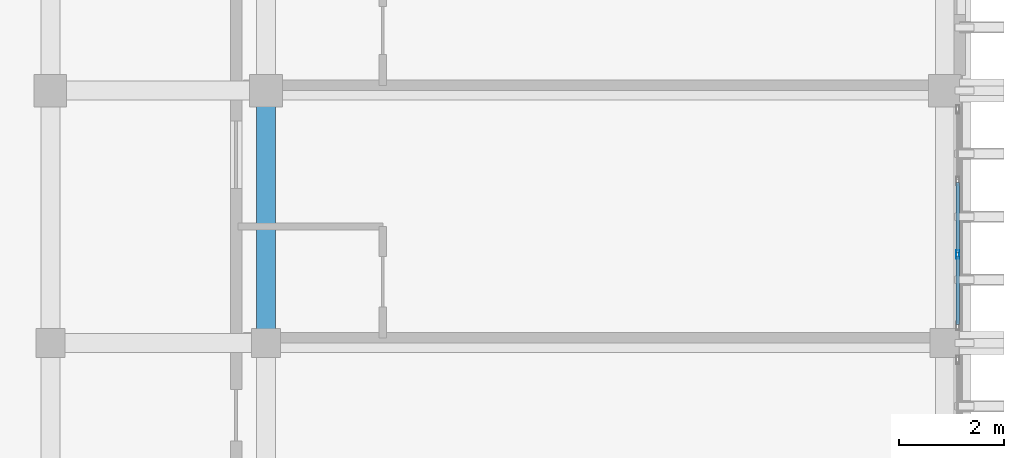
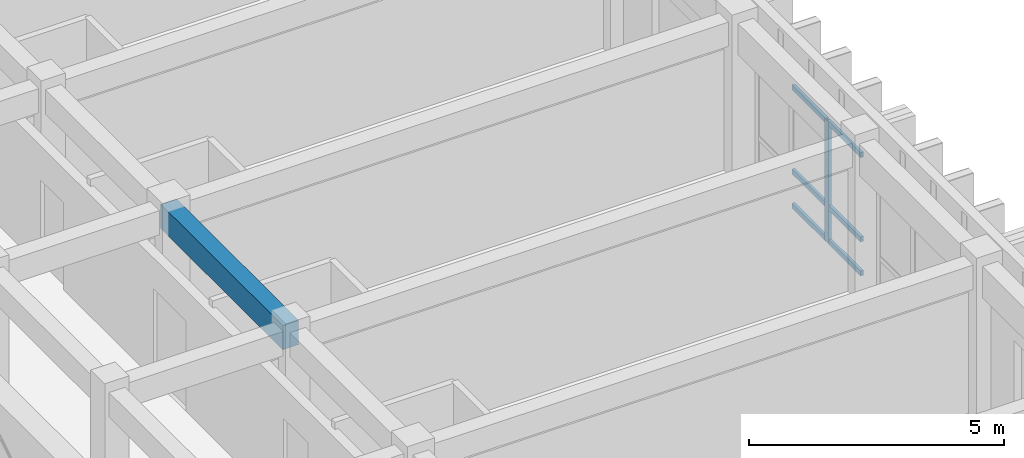
# One storey, part 15 of 50: 7 members, 1 beam, 1 element without a shape of its own.
"""IFC4 building model written with IfcOpenShell, lengths in metres."""

from ifc_helpers import new_model, si_unit, direction, frame, origin, origin_2d, place, context, subcontext, project, spatial, rectangle, hollow_rectangle, extrude, material, layer, layer_set, material_profile, profile_set, type_object, element, aggregate, save


model = new_model("IFC4")

# Units and contexts
model_context = context("Model", 3, precision=1e-05, world=origin(), true_north=direction((0.0, 1.0)))
body_context = subcontext(model_context, "Body", "Model", "MODEL_VIEW")
ifc_project = project(units=[si_unit("LENGTHUNIT", "METRE"), si_unit("AREAUNIT", "SQUARE_METRE"), si_unit("VOLUMEUNIT", "CUBIC_METRE"), si_unit("PLANEANGLEUNIT", "RADIAN"), si_unit("MASSUNIT", "GRAM", prefix="KILO")], contexts=[model_context])

# Site, building, storey
site_placement = place(None, origin())
site = spatial("IfcSite", under=ifc_project, at=site_placement, CompositionType="ELEMENT")
building_placement = place(site_placement, origin())
building = spatial("IfcBuilding", under=site, at=building_placement, Name="Nakhvara Creek Congress Hotel", CompositionType="ELEMENT")
storey_placement = place(building_placement, frame((0.0, 0.0, 42.60009765625)))
storey = spatial("IfcBuildingStorey", under=building, at=storey_placement, Name="L10", CompositionType="ELEMENT", Elevation=42.60009765625)

# Beam
ifc_material_1 = material(Name="Concrete C40/50", Category="concrete")
ifc_material_profile_1 = material_profile(ifc_material_1, rectangle(XDim=0.360107421875, YDim=0.580078125, at=origin_2d()), Name="RC-BM 360x580", Category="LoadBearing")
ifc_profile_set_1 = profile_set([ifc_material_profile_1], Name="Concrete C40/50")
beam_type = type_object("IfcBeamType", Name="BM-RC-360X580", PredefinedType="BEAM", material=ifc_profile_set_1)
beam_placement = place(storey_placement, frame((166.449951171875, 81.60009765625, 3.369873046875), z_axis=(0.0, 1.0, 0.0), x_axis=(-1.0, 0.0, 0.0)))
element("IfcBeam", 1, at=beam_placement, inside=storey, type_object=beam_type, Name="Beam B09-L10-2675", PredefinedType="BEAM", context=body_context, shape_type="SweptSolid", body=[
    extrude(rectangle(XDim=0.360107421875, YDim=0.580078125, at=origin_2d()), origin(), (0.0, 0.0, 1.0), 4.7998046875),
])

# Curtain wall, members
ifc_material_2 = material(Name="Bronze-anodised aluminium AW-6063-T6 and double-silver low-E glass", Category="aluminium")
ifc_layer = layer(ifc_material_2, 0.199951171875)
ifc_layer_set = layer_set([ifc_layer], Name="Bronze-anodised aluminium AW-6063-T6 and double-silver low-E glass")
curtain_wall_type = type_object("IfcCurtainWallType", Name="CW-HTL-UNIT", PredefinedType="USERDEFINED", material=ifc_layer_set)
curtain_wall_placement = place(storey_placement, origin())
curtain_wall = element("IfcCurtainWall", 2, at=curtain_wall_placement, inside=storey, type_object=curtain_wall_type, Name="Curtain Wall CW320", ObjectType="UNITISED", PredefinedType="USERDEFINED")
ifc_material_3 = material(Name="Bronze-anodised aluminium AW-6063-T6", Category="aluminium")
ifc_material_profile_2 = material_profile(ifc_material_3, hollow_rectangle(XDim=0.06494140625, YDim=0.159912109375, WallThickness=0.00390625, at=origin_2d()), Name="ALU-MULL 65x160x4", Category="LoadBearing")
ifc_profile_set_2 = profile_set([ifc_material_profile_2], Name="Bronze-anodised aluminium AW-6063-T6")
member_type_1 = type_object("IfcMemberType", Name="CW-MULL-160", PredefinedType="MULLION", material=ifc_profile_set_2)
member_1_placement = place(storey_placement, frame((179.60009765625, 83.284912109375, 0.0), z_axis=(0.0, 0.0, 1.0), x_axis=(1.0, 0.0, 0.0)))
member_1 = element("IfcMember", 3, at=member_1_placement, type_object=member_type_1, Name="CW320 mullion 3", PredefinedType="MULLION", context=body_context, shape_type="SweptSolid", body=[
    extrude(hollow_rectangle(XDim=0.06494140625, YDim=0.159912109375, WallThickness=0.00390625, at=origin_2d()), origin(), (0.0, 0.0, 1.0), 2.90185546875),
])
ifc_material_profile_3 = material_profile(ifc_material_3, hollow_rectangle(XDim=0.06494140625, YDim=0.1201171875, WallThickness=0.00390625, at=origin_2d()), Name="ALU-TRAN 65x120x4", Category="LoadBearing")
ifc_profile_set_3 = profile_set([ifc_material_profile_3], Name="Bronze-anodised aluminium AW-6063-T6")
member_type_2 = type_object("IfcMemberType", Name="CW-TRAN-120", PredefinedType="USERDEFINED", material=ifc_profile_set_3)
member_2_placement = place(storey_placement, frame((179.60009765625, 84.6474609375, 0.032470703125), z_axis=(0.0, -1.0, 0.0), x_axis=(1.0, 0.0, 0.0)))
member_2 = element("IfcMember", 4, at=member_2_placement, type_object=member_type_2, Name="CW320 transom 2.1", ObjectType="TRANSOM", PredefinedType="USERDEFINED", context=body_context, shape_type="SweptSolid", body=[
    extrude(hollow_rectangle(XDim=0.06494140625, YDim=0.1201171875, WallThickness=0.00390625, at=origin_2d()), origin(), (0.0, 0.0, 1.0), 1.330078125),
])
member_3_placement = place(storey_placement, frame((179.60009765625, 84.6474609375, 0.849853515625), z_axis=(0.0, -1.0, 0.0), x_axis=(1.0, 0.0, 0.0)))
member_3 = element("IfcMember", 5, at=member_3_placement, type_object=member_type_2, Name="CW320 transom 2.2", ObjectType="TRANSOM", PredefinedType="USERDEFINED", context=body_context, shape_type="SweptSolid", body=[
    extrude(hollow_rectangle(XDim=0.06494140625, YDim=0.1201171875, WallThickness=0.00390625, at=origin_2d()), origin(), (0.0, 0.0, 1.0), 1.330078125),
])
member_4_placement = place(storey_placement, frame((179.60009765625, 84.6474609375, 2.869384765625), z_axis=(0.0, -1.0, 0.0), x_axis=(1.0, 0.0, 0.0)))
member_4 = element("IfcMember", 6, at=member_4_placement, type_object=member_type_2, Name="CW320 transom 2.3", ObjectType="TRANSOM", PredefinedType="USERDEFINED", context=body_context, shape_type="SweptSolid", body=[
    extrude(hollow_rectangle(XDim=0.06494140625, YDim=0.1201171875, WallThickness=0.00390625, at=origin_2d()), origin(), (0.0, 0.0, 1.0), 1.330078125),
])
member_5_placement = place(storey_placement, frame((179.60009765625, 83.25244140625, 0.032470703125), z_axis=(0.0, -1.0, 0.0), x_axis=(1.0, 0.0, 0.0)))
member_5 = element("IfcMember", 7, at=member_5_placement, type_object=member_type_2, Name="CW320 transom 3.1", ObjectType="TRANSOM", PredefinedType="USERDEFINED", context=body_context, shape_type="SweptSolid", body=[
    extrude(hollow_rectangle(XDim=0.06494140625, YDim=0.1201171875, WallThickness=0.00390625, at=origin_2d()), origin(), (0.0, 0.0, 1.0), 1.29736328125),
])
member_6_placement = place(storey_placement, frame((179.60009765625, 83.25244140625, 0.849853515625), z_axis=(0.0, -1.0, 0.0), x_axis=(1.0, 0.0, 0.0)))
member_6 = element("IfcMember", 8, at=member_6_placement, type_object=member_type_2, Name="CW320 transom 3.2", ObjectType="TRANSOM", PredefinedType="USERDEFINED", context=body_context, shape_type="SweptSolid", body=[
    extrude(hollow_rectangle(XDim=0.06494140625, YDim=0.1201171875, WallThickness=0.00390625, at=origin_2d()), origin(), (0.0, 0.0, 1.0), 1.29736328125),
])
member_7_placement = place(storey_placement, frame((179.60009765625, 83.25244140625, 2.869384765625), z_axis=(0.0, -1.0, 0.0), x_axis=(1.0, 0.0, 0.0)))
member_7 = element("IfcMember", 9, at=member_7_placement, type_object=member_type_2, Name="CW320 transom 3.3", ObjectType="TRANSOM", PredefinedType="USERDEFINED", context=body_context, shape_type="SweptSolid", body=[
    extrude(hollow_rectangle(XDim=0.06494140625, YDim=0.1201171875, WallThickness=0.00390625, at=origin_2d()), origin(), (0.0, 0.0, 1.0), 1.29736328125),
])
aggregate(curtain_wall, [member_1, member_2, member_3, member_4, member_5, member_6, member_7])

save(model, "model.ifc")
